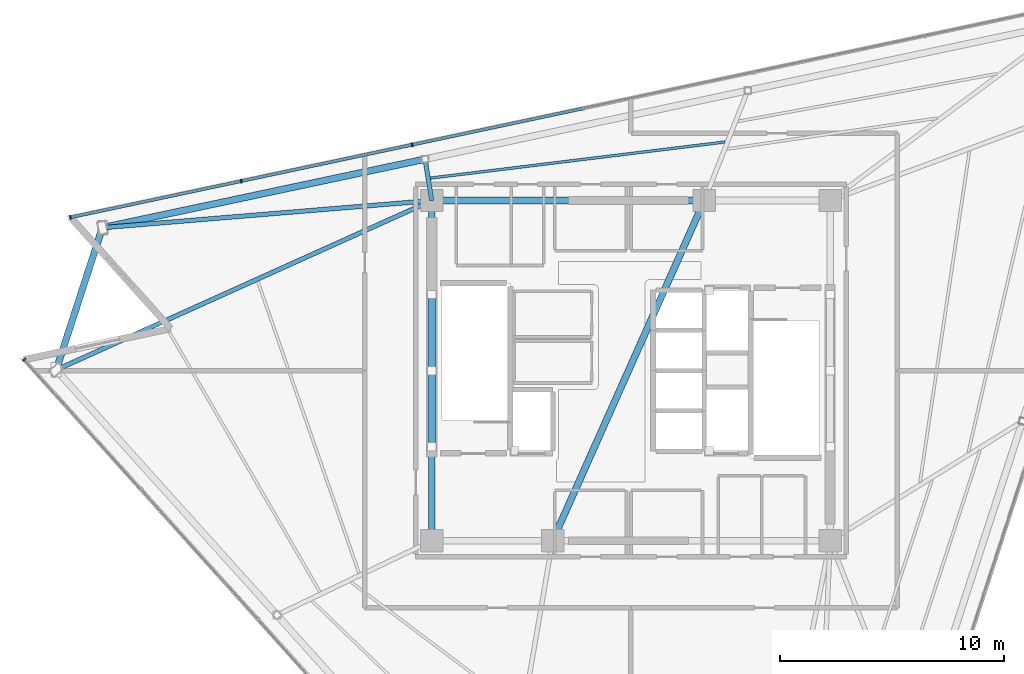
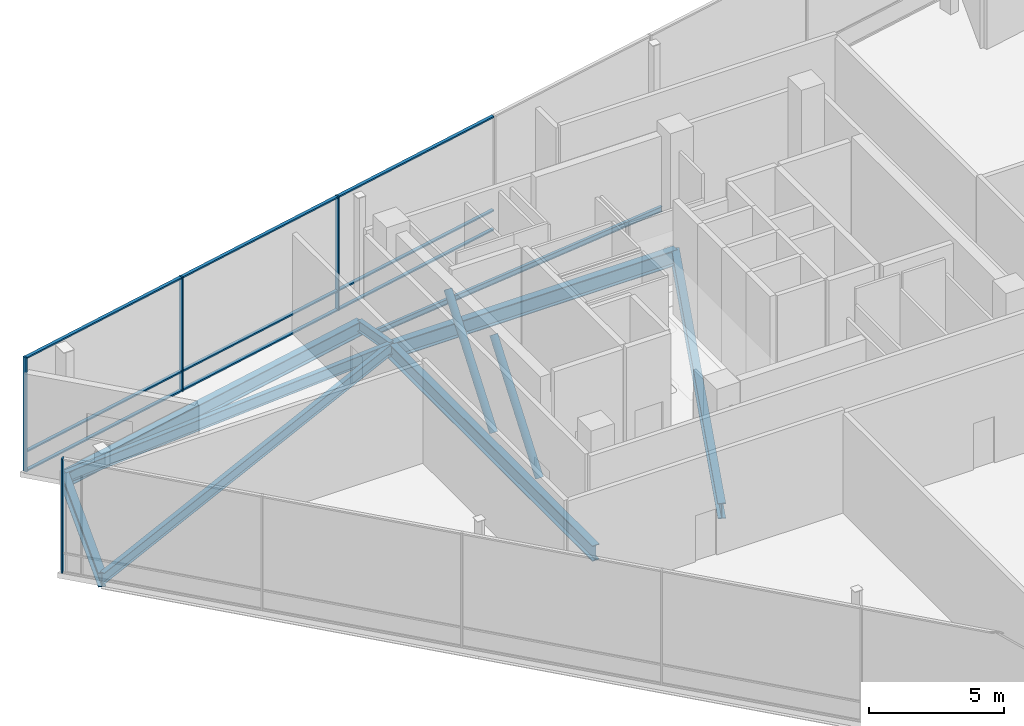
# One storey, part 7 of 14: 15 members, 9 beams, 2 elements without a shape of their own.
"""IFC4 building model written with IfcOpenShell, lengths in metres."""

from ifc_helpers import new_model, si_unit, direction, frame, origin, origin_2d, place, context, subcontext, project, spatial, rectangle, hollow_circle, i_section, extrude, material, layer, layer_set, material_profile, profile_set, type_object, element, aggregate, save


model = new_model("IFC4")

# Units and contexts
model_context = context("Model", 3, precision=1e-05, world=origin(), true_north=direction((0.0, 1.0)))
body_context = subcontext(model_context, "Body", "Model", "MODEL_VIEW")
ifc_project = project(units=[si_unit("LENGTHUNIT", "METRE"), si_unit("AREAUNIT", "SQUARE_METRE"), si_unit("VOLUMEUNIT", "CUBIC_METRE"), si_unit("PLANEANGLEUNIT", "RADIAN"), si_unit("MASSUNIT", "GRAM", prefix="KILO")], contexts=[model_context])

# Site, building, storey
site_placement = place(None, origin())
site = spatial("IfcSite", under=ifc_project, at=site_placement, CompositionType="ELEMENT")
building_placement = place(site_placement, origin())
building = spatial("IfcBuilding", under=site, at=building_placement, Name="Tharavind Bronze Gate", CompositionType="ELEMENT")
storey_placement = place(building_placement, frame((0.0, 0.0, 310.85009765625)))
storey = spatial("IfcBuildingStorey", under=building, at=storey_placement, Name="L80", CompositionType="ELEMENT", Elevation=310.85009765625)

# Members
ifc_material_1 = material(Name="Steel S355", Category="steel")
ifc_material_profile_1 = material_profile(ifc_material_1, hollow_circle(Radius=0.161865234375, WallThickness=0.01611328125, at=origin_2d()), Name="CHS323X16")
ifc_profile_set_1 = profile_set([ifc_material_profile_1], Name="Steel S355")
member_type_1 = type_object("IfcMemberType", Name="CROWN BRACE CHS323", PredefinedType="BRACE", material=ifc_profile_set_1)
for number, where, z_axis, x_axis, name in (
    (1, (-8.89990234375, -3.39990234375, 0.25), (0.0, 0.607111853725, 0.794616383588), (-1.0, 0.0, 0.0), "L80 internal plant frame brace 1"),
    (2, (-8.89990234375, 0.0, 0.25), (0.0, 0.607111853725, 0.794616383588), (-1.0, 0.0, 0.0), "L80 internal plant frame brace 2"),
):
    element("IfcMember", number, at=place(storey_placement, frame(where, z_axis=z_axis, x_axis=x_axis)), inside=storey, type_object=member_type_1, Name=name, PredefinedType="BRACE", context=body_context, shape_type="SweptSolid", body=[
        extrude(hollow_circle(Radius=0.161865234375, WallThickness=0.01611328125, at=origin_2d()), origin(), (0.0, 0.0, 1.0), 5.60009765625),
    ])

# Curtain wall, member
ifc_material_2 = material(Name="Anodised Bronze Aluminium", Category="aluminium")
ifc_layer = layer(ifc_material_2, 0.219970703125)
ifc_layer_set = layer_set([ifc_layer], Name="Anodised Bronze Aluminium")
curtain_wall_type = type_object("IfcCurtainWallType", Name="UNITISED CURTAIN WALL CROWN", PredefinedType="USERDEFINED", material=ifc_layer_set)
curtain_wall_1_placement = place(storey_placement, origin())
curtain_wall_1 = element("IfcCurtainWall", 3, at=curtain_wall_1_placement, inside=storey, type_object=curtain_wall_type, Name="L80 unitised curtain wall crown CW-L80-S1", ObjectType="UNITISED CURTAIN WALL", PredefinedType="USERDEFINED")
member_type_2 = type_object("IfcMemberType", Name="CURTAIN WALL BRONZE MULLION 65X180", PredefinedType="MULLION", material=ifc_material_2)
member_1_placement = place(storey_placement, frame((-27.105224609375, 0.4951171875, 0.0), z_axis=(0.0, 0.0, 1.0), x_axis=(0.669130606359, -0.743144825477, 0.0)))
member_1 = element("IfcMember", 4, at=member_1_placement, type_object=member_type_2, Name="CW-L80-S1 mullion 1", PredefinedType="MULLION", context=body_context, shape_type="SweptSolid", body=[
    extrude(rectangle(XDim=0.06494140625, YDim=0.179931640625, at=origin_2d()), origin(), (0.0, 0.0, 1.0), 5.179931640625),
])
aggregate(curtain_wall_1, [member_1])

# Curtain wall, members
curtain_wall_2_placement = place(storey_placement, origin())
curtain_wall_2 = element("IfcCurtainWall", 5, at=curtain_wall_2_placement, inside=storey, type_object=curtain_wall_type, Name="L80 unitised curtain wall crown CW-L80-S3", ObjectType="UNITISED CURTAIN WALL", PredefinedType="USERDEFINED")
member_2_placement = place(storey_placement, frame((-9.776611328125, 10.0927734375, 0.0), z_axis=(0.0, 0.0, 1.0), x_axis=(-0.978147237858, -0.207913398007, 0.0)))
member_2 = element("IfcMember", 6, at=member_2_placement, type_object=member_type_2, Name="CW-L80-S3 mullion 5", PredefinedType="MULLION", context=body_context, shape_type="SweptSolid", body=[
    extrude(rectangle(XDim=0.06494140625, YDim=0.179931640625, at=origin_2d()), origin(), (0.0, 0.0, 1.0), 5.179931640625),
])
member_3_placement = place(storey_placement, frame((-17.408935546875, 8.470458984375, 0.0), z_axis=(0.0, 0.0, 1.0), x_axis=(-0.978147237858, -0.207913398007, 0.0)))
member_3 = element("IfcMember", 7, at=member_3_placement, type_object=member_type_2, Name="CW-L80-S3 mullion 6", PredefinedType="MULLION", context=body_context, shape_type="SweptSolid", body=[
    extrude(rectangle(XDim=0.06494140625, YDim=0.179931640625, at=origin_2d()), origin(), (0.0, 0.0, 1.0), 5.179931640625),
])
member_4_placement = place(storey_placement, frame((-25.041015625, 6.84814453125, 0.0), z_axis=(0.0, 0.0, 1.0), x_axis=(-0.978147237858, -0.207913398007, 0.0)))
member_4 = element("IfcMember", 8, at=member_4_placement, type_object=member_type_2, Name="CW-L80-S3 mullion 7", PredefinedType="MULLION", context=body_context, shape_type="SweptSolid", body=[
    extrude(rectangle(XDim=0.06494140625, YDim=0.179931640625, at=origin_2d()), origin(), (0.0, 0.0, 1.0), 5.179931640625),
])
member_type_3 = type_object("IfcMemberType", Name="CURTAIN WALL BRONZE TRANSOM 65X140", PredefinedType="USERDEFINED", material=ifc_material_2)
member_5_placement = place(storey_placement, frame((-5.960693359375, 10.90380859375, 0.0), z_axis=(0.0, 0.0, 1.0), x_axis=(-0.978147237858, -0.207913398007, 0.0)))
member_5 = element("IfcMember", 9, at=member_5_placement, type_object=member_type_3, Name="CW-L80-S3 transom TB4", ObjectType="TRANSOM", PredefinedType="USERDEFINED", context=body_context, shape_type="SweptSolid", body=[
    extrude(rectangle(XDim=7.749755859375, YDim=0.139892578125, at=origin_2d()), origin(), (0.0, 0.0, 1.0), 0.06494140625),
])
member_6_placement = place(storey_placement, frame((-5.960693359375, 10.90380859375, 0.867431640625), z_axis=(0.0, 0.0, 1.0), x_axis=(-0.978147237858, -0.207913398007, 0.0)))
member_6 = element("IfcMember", 10, at=member_6_placement, type_object=member_type_3, Name="CW-L80-S3 transom TS4", ObjectType="TRANSOM", PredefinedType="USERDEFINED", context=body_context, shape_type="SweptSolid", body=[
    extrude(rectangle(XDim=7.749755859375, YDim=0.139892578125, at=origin_2d()), origin(), (0.0, 0.0, 1.0), 0.06494140625),
])
member_7_placement = place(storey_placement, frame((-5.960693359375, 10.90380859375, 5.114990234375), z_axis=(0.0, 0.0, 1.0), x_axis=(-0.978147237858, -0.207913398007, 0.0)))
member_7 = element("IfcMember", 11, at=member_7_placement, type_object=member_type_3, Name="CW-L80-S3 transom TT4", ObjectType="TRANSOM", PredefinedType="USERDEFINED", context=body_context, shape_type="SweptSolid", body=[
    extrude(rectangle(XDim=7.749755859375, YDim=0.139892578125, at=origin_2d()), origin(), (0.0, 0.0, 1.0), 0.06494140625),
])
member_8_placement = place(storey_placement, frame((-13.5927734375, 9.281494140625, 0.0), z_axis=(0.0, 0.0, 1.0), x_axis=(-0.978147237858, -0.207913398007, 0.0)))
member_8 = element("IfcMember", 12, at=member_8_placement, type_object=member_type_3, Name="CW-L80-S3 transom TB5", ObjectType="TRANSOM", PredefinedType="USERDEFINED", context=body_context, shape_type="SweptSolid", body=[
    extrude(rectangle(XDim=7.749755859375, YDim=0.139892578125, at=origin_2d()), origin(), (0.0, 0.0, 1.0), 0.06494140625),
])
member_9_placement = place(storey_placement, frame((-13.5927734375, 9.281494140625, 0.867431640625), z_axis=(0.0, 0.0, 1.0), x_axis=(-0.978147237858, -0.207913398007, 0.0)))
member_9 = element("IfcMember", 13, at=member_9_placement, type_object=member_type_3, Name="CW-L80-S3 transom TS5", ObjectType="TRANSOM", PredefinedType="USERDEFINED", context=body_context, shape_type="SweptSolid", body=[
    extrude(rectangle(XDim=7.749755859375, YDim=0.139892578125, at=origin_2d()), origin(), (0.0, 0.0, 1.0), 0.06494140625),
])
member_10_placement = place(storey_placement, frame((-13.5927734375, 9.281494140625, 5.114990234375), z_axis=(0.0, 0.0, 1.0), x_axis=(-0.978147237858, -0.207913398007, 0.0)))
member_10 = element("IfcMember", 14, at=member_10_placement, type_object=member_type_3, Name="CW-L80-S3 transom TT5", ObjectType="TRANSOM", PredefinedType="USERDEFINED", context=body_context, shape_type="SweptSolid", body=[
    extrude(rectangle(XDim=7.749755859375, YDim=0.139892578125, at=origin_2d()), origin(), (0.0, 0.0, 1.0), 0.06494140625),
])
member_11_placement = place(storey_placement, frame((-21.22509765625, 7.6591796875, 0.0), z_axis=(0.0, 0.0, 1.0), x_axis=(-0.978147237858, -0.207913398007, 0.0)))
member_11 = element("IfcMember", 15, at=member_11_placement, type_object=member_type_3, Name="CW-L80-S3 transom TB6", ObjectType="TRANSOM", PredefinedType="USERDEFINED", context=body_context, shape_type="SweptSolid", body=[
    extrude(rectangle(XDim=7.749755859375, YDim=0.139892578125, at=origin_2d()), origin(), (0.0, 0.0, 1.0), 0.06494140625),
])
member_12_placement = place(storey_placement, frame((-21.22509765625, 7.6591796875, 0.867431640625), z_axis=(0.0, 0.0, 1.0), x_axis=(-0.978147237858, -0.207913398007, 0.0)))
member_12 = element("IfcMember", 16, at=member_12_placement, type_object=member_type_3, Name="CW-L80-S3 transom TS6", ObjectType="TRANSOM", PredefinedType="USERDEFINED", context=body_context, shape_type="SweptSolid", body=[
    extrude(rectangle(XDim=7.749755859375, YDim=0.139892578125, at=origin_2d()), origin(), (0.0, 0.0, 1.0), 0.06494140625),
])
member_13_placement = place(storey_placement, frame((-21.22509765625, 7.6591796875, 5.114990234375), z_axis=(0.0, 0.0, 1.0), x_axis=(-0.978147237858, -0.207913398007, 0.0)))
member_13 = element("IfcMember", 17, at=member_13_placement, type_object=member_type_3, Name="CW-L80-S3 transom TT6", ObjectType="TRANSOM", PredefinedType="USERDEFINED", context=body_context, shape_type="SweptSolid", body=[
    extrude(rectangle(XDim=7.749755859375, YDim=0.139892578125, at=origin_2d()), origin(), (0.0, 0.0, 1.0), 0.06494140625),
])
aggregate(curtain_wall_2, [member_2, member_3, member_4, member_5, member_6, member_7, member_8, member_9, member_10, member_11, member_12, member_13])

# Beams
ifc_material_profile_2 = material_profile(ifc_material_1, i_section(OverallWidth=0.300048828125, OverallDepth=0.64990234375, WebThickness=0.01611328125, FlangeThickness=0.031005859375, at=origin_2d()), Name="HE650B")
ifc_profile_set_2 = profile_set([ifc_material_profile_2], Name="Steel S355")
beam_type_1 = type_object("IfcBeamType", Name="PRIMARY GIRDER HE650B", PredefinedType="USERDEFINED", material=ifc_profile_set_2)
beam_1_placement = place(storey_placement, frame((-9.197265625, 9.44921875, -0.565185546875), z_axis=(-0.97814794647, -0.207910064249, 0.0), x_axis=(0.207910064249, -0.97814794647, 0.0)))
element("IfcBeam", 18, at=beam_1_placement, inside=storey, type_object=beam_type_1, Name="L80 primary girder he650b BM-L80-PRG11", ObjectType="GIRDER", PredefinedType="USERDEFINED", context=body_context, shape_type="SweptSolid", body=[
    extrude(i_section(OverallWidth=0.300048828125, OverallDepth=0.64990234375, WebThickness=0.01611328125, FlangeThickness=0.031005859375, at=origin_2d()), origin(), (0.0, 0.0, 1.0), 14.7392578125),
])
beam_2_placement = place(storey_placement, frame((-23.614501953125, 6.384765625, -0.565185546875), z_axis=(-0.309014999798, -0.95105716437, 0.0), x_axis=(0.95105716437, -0.309014999798, 0.0)))
element("IfcBeam", 19, at=beam_2_placement, inside=storey, type_object=beam_type_1, Name="L80 primary girder he650b BM-L80-PRG12", ObjectType="GIRDER", PredefinedType="USERDEFINED", context=body_context, shape_type="SweptSolid", body=[
    extrude(i_section(OverallWidth=0.300048828125, OverallDepth=0.64990234375, WebThickness=0.01611328125, FlangeThickness=0.031005859375, at=origin_2d()), origin(), (0.0, 0.0, 1.0), 6.679931640625),
])
ifc_material_profile_3 = material_profile(ifc_material_1, i_section(OverallWidth=0.199951171875, OverallDepth=0.5, WebThickness=0.01025390625, FlangeThickness=0.01611328125, at=origin_2d()), Name="IPE500")
ifc_profile_set_3 = profile_set([ifc_material_profile_3], Name="Steel S355")
beam_type_2 = type_object("IfcBeamType", Name="PRIMARY GIRDER IPE500", PredefinedType="USERDEFINED", material=ifc_profile_set_3)
beam_3_placement = place(storey_placement, frame((-25.6787109375, 0.03173828125, -0.489990234375), z_axis=(0.911557320277, 0.411173019361, 0.0), x_axis=(-0.411173019361, 0.911557320277, 0.0)))
element("IfcBeam", 20, at=beam_3_placement, inside=storey, type_object=beam_type_2, Name="L80 primary girder ipe500 BM-L80-RAD01", ObjectType="GIRDER", PredefinedType="USERDEFINED", context=body_context, shape_type="SweptSolid", body=[
    extrude(i_section(OverallWidth=0.199951171875, OverallDepth=0.5, WebThickness=0.01025390625, FlangeThickness=0.01611328125, at=origin_2d()), origin(), (0.0, 0.0, 1.0), 18.40673828125),
])
beam_4_placement = place(storey_placement, frame((-9.197265625, 9.44921875, -0.489990234375), z_axis=(0.15877339987, -0.987315049766, 0.0), x_axis=(0.987315049766, 0.15877339987, 0.0)))
element("IfcBeam", 21, at=beam_4_placement, inside=storey, type_object=beam_type_2, Name="L80 primary girder ipe500 BM-L80-RAD11", ObjectType="GIRDER", PredefinedType="USERDEFINED", context=body_context, shape_type="SweptSolid", body=[
    extrude(i_section(OverallWidth=0.199951171875, OverallDepth=0.5, WebThickness=0.01025390625, FlangeThickness=0.01611328125, at=origin_2d()), origin(), (0.0, 0.0, 1.0), 1.872802734375),
])
beam_5_placement = place(storey_placement, frame((-23.614501953125, 6.384765625, -0.489990234375), z_axis=(0.996606499326, 0.082313337321, 0.0), x_axis=(-0.082313337321, 0.996606499326, 0.0)))
element("IfcBeam", 22, at=beam_5_placement, inside=storey, type_object=beam_type_2, Name="L80 primary girder ipe500 BM-L80-RAD12", ObjectType="GIRDER", PredefinedType="USERDEFINED", context=body_context, shape_type="SweptSolid", body=[
    extrude(i_section(OverallWidth=0.199951171875, OverallDepth=0.5, WebThickness=0.01025390625, FlangeThickness=0.01611328125, at=origin_2d()), origin(), (0.0, 0.0, 1.0), 14.7646484375),
])
ifc_material_profile_4 = material_profile(ifc_material_1, i_section(OverallWidth=0.300048828125, OverallDepth=0.699951171875, WebThickness=0.01708984375, FlangeThickness=0.031982421875, at=origin_2d()), Name="HE700B")
ifc_profile_set_4 = profile_set([ifc_material_profile_4], Name="Steel S355")
beam_type_3 = type_object("IfcBeamType", Name="RING GIRDER HE700B", PredefinedType="USERDEFINED", material=ifc_profile_set_4)
beam_6_placement = place(storey_placement, frame((3.280029296875, 7.60009765625, -0.590087890625), z_axis=(-1.0, 0.0, 0.0), x_axis=(0.0, -1.0, 0.0)))
element("IfcBeam", 23, at=beam_6_placement, inside=storey, type_object=beam_type_3, Name="L80 ring girder he700b BM-L80-CR5", ObjectType="GIRDER", PredefinedType="USERDEFINED", context=body_context, shape_type="SweptSolid", body=[
    extrude(i_section(OverallWidth=0.300048828125, OverallDepth=0.699951171875, WebThickness=0.01708984375, FlangeThickness=0.031982421875, at=origin_2d()), origin(), (0.0, 0.0, 1.0), 12.179931640625),
])
beam_7_placement = place(storey_placement, frame((-8.89990234375, 7.60009765625, -0.590087890625), z_axis=(0.0, -1.0, 0.0), x_axis=(1.0, 0.0, 0.0)))
element("IfcBeam", 24, at=beam_7_placement, inside=storey, type_object=beam_type_3, Name="L80 ring girder he700b BM-L80-CR6", ObjectType="GIRDER", PredefinedType="USERDEFINED", context=body_context, shape_type="SweptSolid", body=[
    extrude(i_section(OverallWidth=0.300048828125, OverallDepth=0.699951171875, WebThickness=0.01708984375, FlangeThickness=0.031982421875, at=origin_2d()), origin(), (0.0, 0.0, 1.0), 15.2001953125),
])
beam_8_placement = place(storey_placement, frame((-3.5, -7.60009765625, -0.590087890625), z_axis=(0.407361644566, 0.913266932795, 0.0), x_axis=(-0.913266932795, 0.407361644566, 0.0)))
element("IfcBeam", 25, at=beam_8_placement, inside=storey, type_object=beam_type_3, Name="L80 ring girder he700b BM-L80-CR7", ObjectType="GIRDER", PredefinedType="USERDEFINED", context=body_context, shape_type="SweptSolid", body=[
    extrude(i_section(OverallWidth=0.300048828125, OverallDepth=0.699951171875, WebThickness=0.01708984375, FlangeThickness=0.031982421875, at=origin_2d()), origin(), (0.0, 0.0, 1.0), 16.643798828125),
])
ifc_material_profile_5 = material_profile(ifc_material_1, i_section(OverallWidth=0.1201171875, OverallDepth=0.239990234375, WebThickness=0.006103515625, FlangeThickness=0.009765625, at=origin_2d()), Name="IPE240")
ifc_profile_set_5 = profile_set([ifc_material_profile_5], Name="Steel S355")
beam_type_4 = type_object("IfcBeamType", Name="SECONDARY FLOOR JOIST IPE240", PredefinedType="JOIST", material=ifc_profile_set_5)
beam_9_placement = place(storey_placement, frame((4.200927734375, 10.214599609375, -0.360107421875), z_axis=(-0.992572551394, -0.121654141807, 0.0), x_axis=(0.121654141807, -0.992572551394, 0.0)))
element("IfcBeam", 26, at=beam_9_placement, inside=storey, type_object=beam_type_4, Name="L80 secondary floor joist ipe240 BM-L80-JSTA10", PredefinedType="JOIST", context=body_context, shape_type="SweptSolid", body=[
    extrude(i_section(OverallWidth=0.1201171875, OverallDepth=0.239990234375, WebThickness=0.006103515625, FlangeThickness=0.009765625, at=origin_2d()), origin(), (0.0, 0.0, 1.0), 13.255126953125),
])

save(model, "model.ifc")
